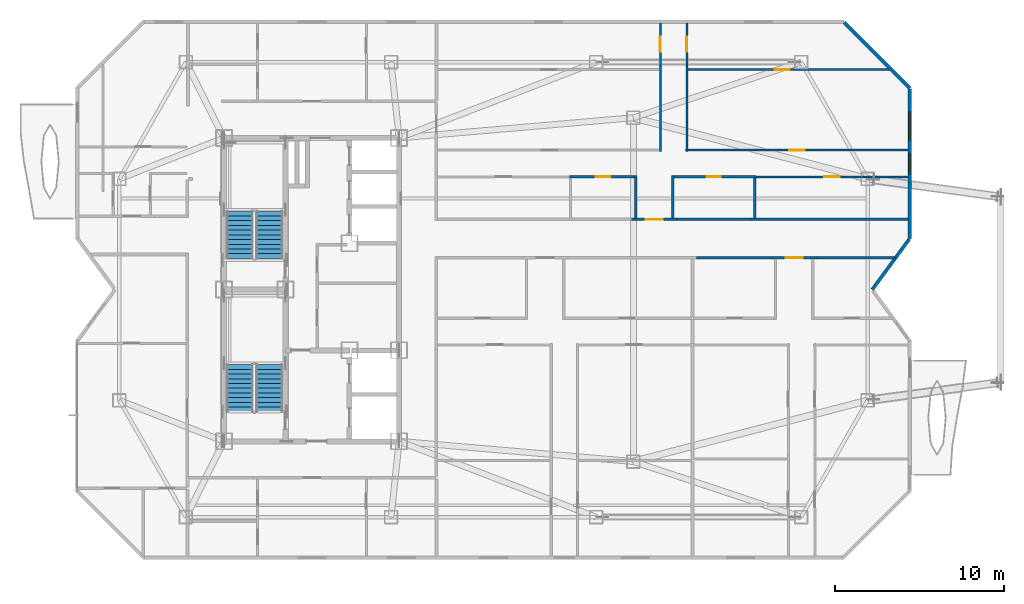
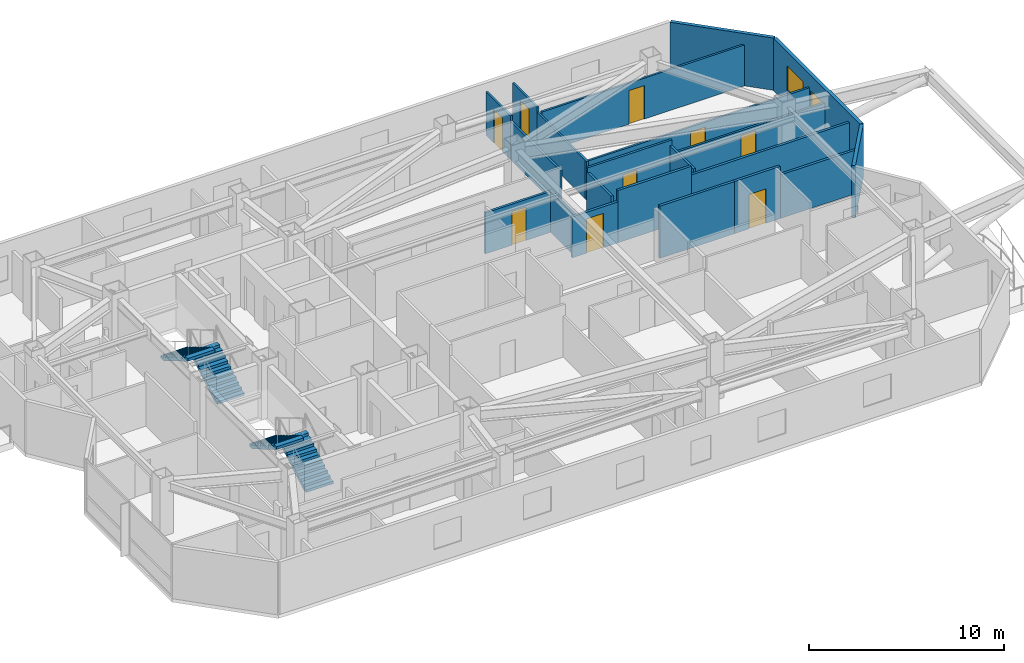
# One storey, part 12 of 14: 21 walls, 9 doors, 4 stair flights, 2 windows, 11 openings, 2 elements without a shape of their own.
"""IFC4 building model written with IfcOpenShell, lengths in metres."""

from ifc_helpers import new_model, si_unit, direction, frame, frame_2d, origin, place, context, subcontext, project, spatial, polyline, rectangle, outline, extrude, material, layer, layer_set, type_object, element, fill, aggregate, save


model = new_model("IFC4")

# Units and contexts
model_context = context("Model", 3, precision=1e-05, world=origin(), true_north=direction((0.0, 1.0)))
body_context = subcontext(model_context, "Body", "Model", "MODEL_VIEW")
ifc_project = project(units=[si_unit("LENGTHUNIT", "METRE"), si_unit("AREAUNIT", "SQUARE_METRE"), si_unit("VOLUMEUNIT", "CUBIC_METRE"), si_unit("PLANEANGLEUNIT", "RADIAN"), si_unit("MASSUNIT", "GRAM", prefix="KILO")], contexts=[model_context])

# Site, building, storey
site_placement = place(None, origin())
site = spatial("IfcSite", under=ifc_project, at=site_placement, CompositionType="ELEMENT")
building_placement = place(site_placement, origin())
building = spatial("IfcBuilding", under=site, at=building_placement, Name="Khamvora Tower", CompositionType="ELEMENT")
storey_placement = place(building_placement, frame((0.0, 0.0, 261.0)))
storey = spatial("IfcBuildingStorey", under=building, at=storey_placement, Name="L67", CompositionType="ELEMENT", Elevation=261.0)

# Wall, opening, door
ifc_material_1 = material(Name="Fire-Rated Drywall and Steel Stud", Category="steel")
ifc_layer_1 = layer(ifc_material_1, 0.14990234375)
ifc_layer_set_1 = layer_set([ifc_layer_1], Name="Fire-Rated Drywall and Steel Stud")
wall_type_1 = type_object("IfcWallType", Name="WAL-CORR-150", PredefinedType="STANDARD", material=ifc_layer_set_1)
wall_1_placement = place(storey_placement, frame((64.18310546875, 29.885009765625, 0.0), z_axis=(0.0, 0.0, 1.0), x_axis=(-1.0, 0.0, 0.0)))
wall_1 = element("IfcWall", 1, at=wall_1_placement, inside=storey, type_object=wall_type_1, Name="L67 interior partition wall 025", PredefinedType="STANDARD", context=body_context, shape_type="SweptSolid", body=[
    extrude(rectangle(XDim=2.697998046875, YDim=0.14990234375, at=frame_2d((1.34912109375, 0.0))), origin(), (0.0, 0.0, 1.0), 3.27001953125),
])
opening_1_placement = place(wall_1_placement, frame((0.84912109375, 0.0, 0.0)))
opening_1 = element("IfcOpeningElement", 2, at=opening_1_placement, cuts=wall_1, Name="Opening D-U1", PredefinedType="OPENING", context=body_context, shape_type="SweptSolid", body=[
    extrude(rectangle(XDim=1.0, YDim=2.14990234375, at=frame_2d((0.5, 1.074951171875))), frame((0.0, 0.0849609375, 0.0), z_axis=(0.0, -1.0, 0.0), x_axis=(1.0, 0.0, 0.0)), (0.0, 0.0, 1.0), 0.169921875),
])
ifc_material_2 = material(Name="Powder-Coated Steel and Hardwood Leaf", Category="steel")
door_type_1 = type_object("IfcDoorType", Name="DOR-UNIT-1000", OperationType="NOTDEFINED", PredefinedType="DOOR", material=ifc_material_2)
door_1_placement = place(opening_1_placement, origin())
door_1 = element("IfcDoor", 3, at=door_1_placement, inside=storey, type_object=door_type_1, Name="L67 interior door COR-67EA2H", OperationType="SINGLE_SWING_RIGHT", OverallHeight=2.14990234375, OverallWidth=1.0, PredefinedType="DOOR", context=body_context, shape_type="SweptSolid", body=[
    extrude(rectangle(XDim=1.0, YDim=2.14990234375, at=frame_2d((0.5, 1.074951171875))), frame((0.0, 0.02490234375, 0.0), z_axis=(0.0, -1.0, 0.0), x_axis=(1.0, 0.0, 0.0)), (0.0, 0.0, 1.0), 0.050048828125),
])
fill(opening_1, door_1)

# Walls
wall_2_placement = place(storey_placement, frame((68.8310546875, 29.885009765625, 0.0), z_axis=(0.0, 0.0, 1.0), x_axis=(-1.0, 0.0, 0.0)))
element("IfcWall", 4, at=wall_2_placement, inside=storey, type_object=wall_type_1, Name="L67 interior partition wall 026", PredefinedType="STANDARD", context=body_context, shape_type="SweptSolid", body=[
    extrude(rectangle(XDim=4.64794921875, YDim=0.14990234375, at=frame_2d((2.323974609375, 0.0))), origin(), (0.0, 0.0, 1.0), 2.72705078125),
])
wall_3_placement = place(storey_placement, frame((61.485107421875, 29.885009765625, 0.0), z_axis=(0.0, 0.0, 1.0), x_axis=(-1.0, 0.0, 0.0)))
element("IfcWall", 5, at=wall_3_placement, inside=storey, type_object=wall_type_1, Name="L67 interior partition wall 027", PredefinedType="STANDARD", context=body_context, shape_type="SweptSolid", body=[
    extrude(rectangle(XDim=4.43017578125, YDim=0.14990234375, at=frame_2d((2.215087890625, 0.0))), origin(), (0.0, 0.0, 1.0), 3.27001953125),
])
wall_4_placement = place(storey_placement, frame((60.2509765625, 32.1650390625, 0.0), z_axis=(0.0, 0.0, 1.0), x_axis=(1.0, 0.0, 0.0)))
element("IfcWall", 6, at=wall_4_placement, inside=storey, type_object=wall_type_1, Name="L67 interior partition wall 030", PredefinedType="STANDARD", context=body_context, shape_type="SweptSolid", body=[
    extrude(rectangle(XDim=9.35693359375, YDim=0.14990234375, at=frame_2d((4.678466796875, 0.0))), origin(), (0.0, 0.0, 1.0), 2.72705078125),
])

# Wall, opening, door
wall_5_placement = place(storey_placement, frame((53.18603515625, 32.1650390625, 0.0), z_axis=(0.0, 0.0, 1.0), x_axis=(1.0, 0.0, 0.0)))
wall_5 = element("IfcWall", 7, at=wall_5_placement, inside=storey, type_object=wall_type_1, Name="L67 interior partition wall 032", PredefinedType="STANDARD", context=body_context, shape_type="SweptSolid", body=[
    extrude(rectangle(XDim=2.697998046875, YDim=0.14990234375, at=frame_2d((1.34912109375, 0.0))), origin(), (0.0, 0.0, 1.0), 2.56494140625),
])
opening_2_placement = place(wall_5_placement, frame((0.84912109375, 0.0, 0.0)))
opening_2 = element("IfcOpeningElement", 8, at=opening_2_placement, cuts=wall_5, Name="Opening D-U1", PredefinedType="OPENING", context=body_context, shape_type="SweptSolid", body=[
    extrude(rectangle(XDim=1.0, YDim=2.14990234375, at=frame_2d((0.5, 1.074951171875))), frame((0.0, 0.0849609375, 0.0), z_axis=(0.0, -1.0, 0.0), x_axis=(1.0, 0.0, 0.0)), (0.0, 0.0, 1.0), 0.169921875),
])
door_2_placement = place(opening_2_placement, origin())
door_2 = element("IfcDoor", 9, at=door_2_placement, inside=storey, type_object=door_type_1, Name="L67 interior door COR-67EBH", OperationType="SINGLE_SWING_LEFT", OverallHeight=2.14990234375, OverallWidth=1.0, PredefinedType="DOOR", context=body_context, shape_type="SweptSolid", body=[
    extrude(rectangle(XDim=1.0, YDim=2.14990234375, at=frame_2d((0.5, 1.074951171875))), frame((0.0, 0.02490234375, 0.0), z_axis=(0.0, -1.0, 0.0), x_axis=(1.0, 0.0, 0.0)), (0.0, 0.0, 1.0), 0.050048828125),
])
fill(opening_2, door_2)

# Walls
wall_6_placement = place(storey_placement, frame((55.884033203125, 32.1650390625, 0.0), z_axis=(0.0, 0.0, 1.0), x_axis=(1.0, 0.0, 0.0)))
element("IfcWall", 10, at=wall_6_placement, inside=storey, type_object=wall_type_1, Name="L67 interior partition wall 034", PredefinedType="STANDARD", context=body_context, shape_type="SweptSolid", body=[
    extrude(rectangle(XDim=4.366943359375, YDim=0.14990234375, at=frame_2d((2.18359375, 0.0))), origin(), (0.0, 0.0, 1.0), 3.27001953125),
])
ifc_material_3 = material(Name="Precast concrete C40/50", Category="concrete")
ifc_layer_2 = layer(ifc_material_3, 0.199951171875)
ifc_layer_set_2 = layer_set([ifc_layer_2], Name="Precast concrete C40/50")
wall_type_2 = type_object("IfcWallType", Name="WAL-EXT-200", PredefinedType="STANDARD", material=ifc_layer_set_2)
wall_7_placement = place(storey_placement, frame((65.802001953125, 43.85693359375, 0.0), z_axis=(0.0, 0.0, 1.0), x_axis=(0.707106781187, -0.707106781187, 0.0)))
element("IfcWall", 11, at=wall_7_placement, inside=storey, type_object=wall_type_2, Name="L67 exterior facade wall 08.1", PredefinedType="STANDARD", context=body_context, shape_type="SweptSolid", body=[
    extrude(rectangle(XDim=5.512451171875, YDim=0.199951171875, at=frame_2d((2.75634765625, 0.0))), origin(), (0.0, 0.0, 1.0), 3.27001953125),
])

# Wall, openings, windows
wall_8_placement = place(storey_placement, frame((69.699951171875, 39.89599609375, 0.0), z_axis=(0.0, 0.0, 1.0), x_axis=(0.0, -1.0, 0.0)))
wall_8 = element("IfcWall", 12, at=wall_8_placement, inside=storey, type_object=wall_type_2, Name="L67 exterior facade wall 09.1", PredefinedType="STANDARD", context=body_context, shape_type="SweptSolid", body=[
    extrude(rectangle(XDim=8.863037109375, YDim=0.199951171875, at=frame_2d((4.431640625, 0.0))), origin(), (0.0, 0.0, 1.0), 3.27001953125),
])
opening_3_placement = place(wall_8_placement, frame((3.81103515625, 0.0, 0.800048828125)))
opening_3 = element("IfcOpeningElement", 13, at=opening_3_placement, cuts=wall_8, Name="Opening WN-03", PredefinedType="OPENING", context=body_context, shape_type="SweptSolid", body=[
    extrude(rectangle(XDim=1.199951171875, YDim=1.5, at=frame_2d((0.60009765625, 0.75))), frame((0.0, 0.10986328125, 0.0), z_axis=(0.0, -1.0, 0.0), x_axis=(1.0, 0.0, 0.0)), (0.0, 0.0, 1.0), 0.219970703125),
])
opening_4_placement = place(wall_8_placement, frame((1.3779296875, 0.0, 0.85009765625)))
opening_4 = element("IfcOpeningElement", 14, at=opening_4_placement, cuts=wall_8, Name="Opening WN-06", PredefinedType="OPENING", context=body_context, shape_type="SweptSolid", body=[
    extrude(rectangle(XDim=1.64990234375, YDim=1.550048828125, at=frame_2d((0.824951171875, 0.77490234375))), frame((0.0, 0.10986328125, 0.0), z_axis=(0.0, -1.0, 0.0), x_axis=(1.0, 0.0, 0.0)), (0.0, 0.0, 1.0), 0.219970703125),
])
ifc_material_4 = material(Name="Low-E Laminated Double Glazing", Category="glass")
window_type_1 = type_object("IfcWindowType", Name="WIN-VIS-1200x1500", PartitioningType="SINGLE_PANEL", PredefinedType="WINDOW", material=ifc_material_4)
window_1_placement = place(opening_3_placement, origin())
window_1 = element("IfcWindow", 15, at=window_1_placement, inside=storey, type_object=window_type_1, Name="L67 vision window 09.1.01", OverallHeight=1.5, OverallWidth=1.199951171875, PartitioningType="SINGLE_PANEL", PredefinedType="WINDOW", context=body_context, shape_type="SweptSolid", body=[
    extrude(rectangle(XDim=1.199951171875, YDim=1.5, at=frame_2d((0.60009765625, 0.75))), frame((0.0, 0.030029296875, 0.0), z_axis=(0.0, -1.0, 0.0), x_axis=(1.0, 0.0, 0.0)), (0.0, 0.0, 1.0), 0.06005859375),
])
fill(opening_3, window_1)
window_type_2 = type_object("IfcWindowType", Name="WIN-VIS-1650x1550", PartitioningType="SINGLE_PANEL", PredefinedType="WINDOW", material=ifc_material_4)
window_2_placement = place(opening_4_placement, origin())
window_2 = element("IfcWindow", 16, at=window_2_placement, inside=storey, type_object=window_type_2, Name="L67 vision window 09.1.02", OverallHeight=1.550048828125, OverallWidth=1.64990234375, PartitioningType="SINGLE_PANEL", PredefinedType="WINDOW", context=body_context, shape_type="SweptSolid", body=[
    extrude(rectangle(XDim=1.64990234375, YDim=1.550048828125, at=frame_2d((0.824951171875, 0.77490234375))), frame((0.0, 0.030029296875, 0.0), z_axis=(0.0, -1.0, 0.0), x_axis=(1.0, 0.0, 0.0)), (0.0, 0.0, 1.0), 0.06005859375),
])
fill(opening_4, window_2)

# Wall
wall_9_placement = place(storey_placement, frame((69.669921875, 30.991943359375, 0.0), z_axis=(0.0, 0.0, 1.0), x_axis=(-0.591320870733, -0.806436375566, 0.0)))
element("IfcWall", 17, at=wall_9_placement, inside=storey, type_object=wall_type_2, Name="L67 exterior facade wall 10.1", PredefinedType="STANDARD", context=body_context, shape_type="SweptSolid", body=[
    extrude(rectangle(XDim=3.7099609375, YDim=0.199951171875, at=frame_2d((1.85498046875, 0.0))), origin(), (0.0, 0.0, 1.0), 3.27001953125),
])

# Wall, opening, door
ifc_material_5 = material(Name="Gypsum Plasterboard Partition", Category="gypsum")
ifc_layer_3 = layer(ifc_material_5, 0.1201171875)
ifc_layer_set_3 = layer_set([ifc_layer_3], Name="Gypsum Plasterboard Partition")
wall_type_3 = type_object("IfcWallType", Name="WAL-PART-120", PredefinedType="PARTITIONING", material=ifc_layer_set_3)
wall_10_placement = place(storey_placement, frame((60.56494140625, 34.695068359375, 0.0), z_axis=(0.0, 0.0, 1.0), x_axis=(1.0, 0.0, 0.0)))
wall_10 = element("IfcWall", 18, at=wall_10_placement, inside=storey, type_object=wall_type_3, Name="L67 interior partition wall 093", PredefinedType="PARTITIONING", context=body_context, shape_type="SweptSolid", body=[
    extrude(rectangle(XDim=9.04296875, YDim=0.1201171875, at=frame_2d((4.521484375, 0.0))), origin(), (0.0, 0.0, 1.0), 2.405029296875),
])
opening_5_placement = place(wall_10_placement, frame((4.071044921875, 0.0, 0.0)))
opening_5 = element("IfcOpeningElement", 19, at=opening_5_placement, cuts=wall_10, Name="Opening D-RM1", PredefinedType="OPENING", context=body_context, shape_type="SweptSolid", body=[
    extrude(rectangle(XDim=0.89990234375, YDim=2.10009765625, at=frame_2d((0.449951171875, 1.050048828125))), frame((0.0, 0.070068359375, 0.0), z_axis=(0.0, -1.0, 0.0), x_axis=(1.0, 0.0, 0.0)), (0.0, 0.0, 1.0), 0.14013671875),
])
door_type_2 = type_object("IfcDoorType", Name="DOR-ROOM-900", OperationType="NOTDEFINED", PredefinedType="DOOR", material=ifc_material_2)
door_3_placement = place(opening_5_placement, origin())
door_3 = element("IfcDoor", 20, at=door_3_placement, inside=storey, type_object=door_type_2, Name="L67 interior door 67EBW2-67EBH", OperationType="SINGLE_SWING_LEFT", OverallHeight=2.10009765625, OverallWidth=0.89990234375, PredefinedType="DOOR", context=body_context, shape_type="SweptSolid", body=[
    extrude(rectangle(XDim=0.89990234375, YDim=2.10009765625, at=frame_2d((0.449951171875, 1.050048828125))), frame((0.0, 0.02490234375, 0.0), z_axis=(0.0, -1.0, 0.0), x_axis=(1.0, 0.0, 0.0)), (0.0, 0.0, 1.0), 0.050048828125),
])
fill(opening_5, door_3)

# Wall
wall_11_placement = place(storey_placement, frame((54.89990234375, 36.2099609375, 0.0), z_axis=(0.0, 0.0, 1.0), x_axis=(0.0, 1.0, 0.0)))
element("IfcWall", 21, at=wall_11_placement, inside=storey, type_object=wall_type_3, Name="L67 interior partition wall 100", PredefinedType="PARTITIONING", context=body_context, shape_type="SweptSolid", body=[
    extrude(rectangle(XDim=5.091064453125, YDim=0.1201171875, at=frame_2d((2.54541015625, 0.0))), origin(), (0.0, 0.0, 1.0), 2.405029296875),
])

# Wall, opening, door
wall_12_placement = place(storey_placement, frame((54.89990234375, 41.301025390625, 0.0), z_axis=(0.0, 0.0, 1.0), x_axis=(0.0, 1.0, 0.0)))
wall_12 = element("IfcWall", 22, at=wall_12_placement, inside=storey, type_object=wall_type_3, Name="L67 interior partition wall 101", PredefinedType="PARTITIONING", context=body_context, shape_type="SweptSolid", body=[
    extrude(rectangle(XDim=2.507080078125, YDim=0.1201171875, at=frame_2d((1.25341796875, 0.0))), origin(), (0.0, 0.0, 1.0), 2.72705078125),
])
opening_6_placement = place(wall_12_placement, frame((0.803955078125, 0.0, 0.0)))
opening_6 = element("IfcOpeningElement", 23, at=opening_6_placement, cuts=wall_12, Name="Opening D-RM1", PredefinedType="OPENING", context=body_context, shape_type="SweptSolid", body=[
    extrude(rectangle(XDim=0.89990234375, YDim=2.10009765625, at=frame_2d((0.449951171875, 1.050048828125))), frame((0.0, 0.070068359375, 0.0), z_axis=(0.0, -1.0, 0.0), x_axis=(1.0, 0.0, 0.0)), (0.0, 0.0, 1.0), 0.14013671875),
])
door_4_placement = place(opening_6_placement, origin())
door_4 = element("IfcDoor", 24, at=door_4_placement, inside=storey, type_object=door_type_2, Name="L67 interior door 67EBH-67EBR2", OperationType="SINGLE_SWING_LEFT", OverallHeight=2.10009765625, OverallWidth=0.89990234375, PredefinedType="DOOR", context=body_context, shape_type="SweptSolid", body=[
    extrude(rectangle(XDim=0.89990234375, YDim=2.10009765625, at=frame_2d((0.449951171875, 1.050048828125))), frame((0.0, 0.02490234375, 0.0), z_axis=(0.0, -1.0, 0.0), x_axis=(1.0, 0.0, 0.0)), (0.0, 0.0, 1.0), 0.050048828125),
])
fill(opening_6, door_4)

# Wall
wall_13_placement = place(storey_placement, frame((56.469970703125, 41.301025390625, 0.0), z_axis=(0.0, 0.0, 1.0), x_axis=(0.0, -1.0, 0.0)))
element("IfcWall", 25, at=wall_13_placement, inside=storey, type_object=wall_type_3, Name="L67 interior partition wall 102", PredefinedType="PARTITIONING", context=body_context, shape_type="SweptSolid", body=[
    extrude(rectangle(XDim=5.091064453125, YDim=0.1201171875, at=frame_2d((2.54541015625, 0.0))), origin(), (0.0, 0.0, 1.0), 2.405029296875),
])

# Wall, opening, door
wall_14_placement = place(storey_placement, frame((56.405029296875, 36.27490234375, 0.0), z_axis=(0.0, 0.0, 1.0), x_axis=(1.0, 0.0, 0.0)))
wall_14 = element("IfcWall", 26, at=wall_14_placement, inside=storey, type_object=wall_type_3, Name="L67 interior partition wall 103", PredefinedType="PARTITIONING", context=body_context, shape_type="SweptSolid", body=[
    extrude(rectangle(XDim=13.202880859375, YDim=0.1201171875, at=frame_2d((6.6015625, 0.0))), origin(), (0.0, 0.0, 1.0), 2.405029296875),
])
opening_7_placement = place(wall_14_placement, frame((6.15087890625, 0.0, 0.0)))
opening_7 = element("IfcOpeningElement", 27, at=opening_7_placement, cuts=wall_14, Name="Opening D-RM1", PredefinedType="OPENING", context=body_context, shape_type="SweptSolid", body=[
    extrude(rectangle(XDim=0.89990234375, YDim=2.10009765625, at=frame_2d((0.449951171875, 1.050048828125))), frame((0.0, 0.070068359375, 0.0), z_axis=(0.0, -1.0, 0.0), x_axis=(1.0, 0.0, 0.0)), (0.0, 0.0, 1.0), 0.14013671875),
])
door_5_placement = place(opening_7_placement, origin())
door_5 = element("IfcDoor", 28, at=door_5_placement, inside=storey, type_object=door_type_2, Name="L67 interior door 67EBH-67EBR3", OperationType="SINGLE_SWING_RIGHT", OverallHeight=2.10009765625, OverallWidth=0.89990234375, PredefinedType="DOOR", context=body_context, shape_type="SweptSolid", body=[
    extrude(rectangle(XDim=0.89990234375, YDim=2.10009765625, at=frame_2d((0.449951171875, 1.050048828125))), frame((0.0, 0.02490234375, 0.0), z_axis=(0.0, -1.0, 0.0), x_axis=(1.0, 0.0, 0.0)), (0.0, 0.0, 1.0), 0.050048828125),
])
fill(opening_7, door_5)

wall_15_placement = place(storey_placement, frame((56.469970703125, 43.80810546875, 0.0), z_axis=(0.0, 0.0, 1.0), x_axis=(0.0, -1.0, 0.0)))
wall_15 = element("IfcWall", 29, at=wall_15_placement, inside=storey, type_object=wall_type_3, Name="L67 interior partition wall 104", PredefinedType="PARTITIONING", context=body_context, shape_type="SweptSolid", body=[
    extrude(rectangle(XDim=2.507080078125, YDim=0.1201171875, at=frame_2d((1.25341796875, 0.0))), origin(), (0.0, 0.0, 1.0), 2.72705078125),
])
opening_8_placement = place(wall_15_placement, frame((0.803955078125, 0.0, 0.0)))
opening_8 = element("IfcOpeningElement", 30, at=opening_8_placement, cuts=wall_15, Name="Opening D-RM1", PredefinedType="OPENING", context=body_context, shape_type="SweptSolid", body=[
    extrude(rectangle(XDim=0.89990234375, YDim=2.10009765625, at=frame_2d((0.449951171875, 1.050048828125))), frame((0.0, 0.070068359375, 0.0), z_axis=(0.0, -1.0, 0.0), x_axis=(1.0, 0.0, 0.0)), (0.0, 0.0, 1.0), 0.14013671875),
])
door_6_placement = place(opening_8_placement, origin())
door_6 = element("IfcDoor", 31, at=door_6_placement, inside=storey, type_object=door_type_2, Name="L67 interior door 67EBH-67EBR4", OperationType="SINGLE_SWING_LEFT", OverallHeight=2.10009765625, OverallWidth=0.89990234375, PredefinedType="DOOR", context=body_context, shape_type="SweptSolid", body=[
    extrude(rectangle(XDim=0.89990234375, YDim=2.10009765625, at=frame_2d((0.449951171875, 1.050048828125))), frame((0.0, 0.02490234375, 0.0), z_axis=(0.0, -1.0, 0.0), x_axis=(1.0, 0.0, 0.0)), (0.0, 0.0, 1.0), 0.050048828125),
])
fill(opening_8, door_6)

wall_16_placement = place(storey_placement, frame((56.52392578125, 41.052001953125, 0.0), z_axis=(0.0, 0.0, 1.0), x_axis=(1.0, 0.0, 0.0)))
wall_16 = element("IfcWall", 32, at=wall_16_placement, inside=storey, type_object=wall_type_3, Name="L67 interior partition wall 106", PredefinedType="PARTITIONING", context=body_context, shape_type="SweptSolid", body=[
    extrude(rectangle(XDim=12.078125, YDim=0.1201171875, at=frame_2d((6.0390625, 0.0))), origin(), (0.0, 0.0, 1.0), 2.56494140625),
])
opening_9_placement = place(wall_16_placement, frame((5.1650390625, 0.0, 0.0)))
opening_9 = element("IfcOpeningElement", 33, at=opening_9_placement, cuts=wall_16, Name="Opening D-RM1", PredefinedType="OPENING", context=body_context, shape_type="SweptSolid", body=[
    extrude(rectangle(XDim=0.89990234375, YDim=2.10009765625, at=frame_2d((0.449951171875, 1.050048828125))), frame((0.0, 0.070068359375, 0.0), z_axis=(0.0, -1.0, 0.0), x_axis=(1.0, 0.0, 0.0)), (0.0, 0.0, 1.0), 0.14013671875),
])
door_7_placement = place(opening_9_placement, origin())
door_7 = element("IfcDoor", 34, at=door_7_placement, inside=storey, type_object=door_type_2, Name="L67 interior door 67EBR3-67EBR4", OperationType="SINGLE_SWING_LEFT", OverallHeight=2.10009765625, OverallWidth=0.89990234375, PredefinedType="DOOR", context=body_context, shape_type="SweptSolid", body=[
    extrude(rectangle(XDim=0.89990234375, YDim=2.10009765625, at=frame_2d((0.449951171875, 1.050048828125))), frame((0.0, 0.02490234375, 0.0), z_axis=(0.0, -1.0, 0.0), x_axis=(1.0, 0.0, 0.0)), (0.0, 0.0, 1.0), 0.050048828125),
])
fill(opening_9, door_7)

# Walls
ifc_material_6 = material(Name="Moisture-Resistant Plasterboard Partition", Category="gypsum")
ifc_layer_4 = layer(ifc_material_6, 0.135009765625)
ifc_layer_set_4 = layer_set([ifc_layer_4], Name="Moisture-Resistant Plasterboard Partition")
wall_type_4 = type_object("IfcWallType", Name="WAL-WET-135", PredefinedType="PARTITIONING", material=ifc_layer_set_4)
wall_17_placement = place(storey_placement, frame((60.5, 32.23193359375, 0.0), z_axis=(0.0, 0.0, 1.0), x_axis=(0.0, 1.0, 0.0)))
element("IfcWall", 35, at=wall_17_placement, inside=storey, type_object=wall_type_4, Name="L67 interior partition wall 094", PredefinedType="PARTITIONING", context=body_context, shape_type="SweptSolid", body=[
    extrude(rectangle(XDim=2.39794921875, YDim=0.135009765625, at=frame_2d((1.198974609375, 0.0))), origin(), (0.0, 0.0, 1.0), 2.947021484375),
])
wall_18_placement = place(storey_placement, frame((53.43505859375, 32.23193359375, 0.0), z_axis=(0.0, 0.0, 1.0), x_axis=(0.0, 1.0, 0.0)))
element("IfcWall", 36, at=wall_18_placement, inside=storey, type_object=wall_type_4, Name="L67 interior partition wall 095", PredefinedType="PARTITIONING", context=body_context, shape_type="SweptSolid", body=[
    extrude(rectangle(XDim=2.528076171875, YDim=0.135009765625, at=frame_2d((1.26416015625, 0.0))), origin(), (0.0, 0.0, 1.0), 2.56494140625),
])

# Wall, opening, door
wall_19_placement = place(storey_placement, frame((53.5, 34.695068359375, 0.0), z_axis=(0.0, 0.0, 1.0), x_axis=(-1.0, 0.0, 0.0)))
wall_19 = element("IfcWall", 37, at=wall_19_placement, inside=storey, type_object=wall_type_4, Name="L67 interior partition wall 096", PredefinedType="PARTITIONING", context=body_context, shape_type="SweptSolid", body=[
    extrude(rectangle(XDim=3.9951171875, YDim=0.135009765625, at=frame_2d((1.99755859375, 0.0))), origin(), (0.0, 0.0, 1.0), 2.56494140625),
])
opening_10_placement = place(wall_19_placement, frame((1.572998046875, 0.0, 0.0)))
opening_10 = element("IfcOpeningElement", 38, at=opening_10_placement, cuts=wall_19, Name="Opening D-WC1", PredefinedType="OPENING", context=body_context, shape_type="SweptSolid", body=[
    extrude(rectangle(XDim=0.85009765625, YDim=2.10009765625, at=frame_2d((0.425048828125, 1.050048828125))), frame((0.0, 0.077392578125, 0.0), z_axis=(0.0, -1.0, 0.0), x_axis=(1.0, 0.0, 0.0)), (0.0, 0.0, 1.0), 0.155029296875),
])
door_type_3 = type_object("IfcDoorType", Name="DOR-WET-850", OperationType="NOTDEFINED", PredefinedType="DOOR", material=ifc_material_2)
door_8_placement = place(opening_10_placement, origin())
door_8 = element("IfcDoor", 39, at=door_8_placement, inside=storey, type_object=door_type_3, Name="L67 interior door 67EBH-67EBB", OperationType="SINGLE_SWING_RIGHT", OverallHeight=2.10009765625, OverallWidth=0.85009765625, PredefinedType="DOOR", context=body_context, shape_type="SweptSolid", body=[
    extrude(rectangle(XDim=0.85009765625, YDim=2.10009765625, at=frame_2d((0.425048828125, 1.050048828125))), frame((0.0, 0.02490234375, 0.0), z_axis=(0.0, -1.0, 0.0), x_axis=(1.0, 0.0, 0.0)), (0.0, 0.0, 1.0), 0.050048828125),
])
fill(opening_10, door_8)

wall_20_placement = place(storey_placement, frame((60.56494140625, 34.695068359375, 0.0), z_axis=(0.0, 0.0, 1.0), x_axis=(-1.0, 0.0, 0.0)))
wall_20 = element("IfcWall", 40, at=wall_20_placement, inside=storey, type_object=wall_type_4, Name="L67 interior partition wall 097", PredefinedType="PARTITIONING", context=body_context, shape_type="SweptSolid", body=[
    extrude(rectangle(XDim=4.994873046875, YDim=0.135009765625, at=frame_2d((2.49755859375, 0.0))), origin(), (0.0, 0.0, 1.0), 3.27001953125),
])
opening_11_placement = place(wall_20_placement, frame((2.072998046875, 0.0, 0.0)))
opening_11 = element("IfcOpeningElement", 41, at=opening_11_placement, cuts=wall_20, Name="Opening D-RM2", PredefinedType="OPENING", context=body_context, shape_type="SweptSolid", body=[
    extrude(rectangle(XDim=0.85009765625, YDim=2.10009765625, at=frame_2d((0.425048828125, 1.050048828125))), frame((0.0, 0.077392578125, 0.0), z_axis=(0.0, -1.0, 0.0), x_axis=(1.0, 0.0, 0.0)), (0.0, 0.0, 1.0), 0.155029296875),
])
door_type_4 = type_object("IfcDoorType", Name="DOR-ROOM-850", OperationType="NOTDEFINED", PredefinedType="DOOR", material=ifc_material_2)
door_9_placement = place(opening_11_placement, origin())
door_9 = element("IfcDoor", 42, at=door_9_placement, inside=storey, type_object=door_type_4, Name="L67 interior door 67EBH-67EBK", OperationType="SINGLE_SWING_LEFT", OverallHeight=2.10009765625, OverallWidth=0.85009765625, PredefinedType="DOOR", context=body_context, shape_type="SweptSolid", body=[
    extrude(rectangle(XDim=0.85009765625, YDim=2.10009765625, at=frame_2d((0.425048828125, 1.050048828125))), frame((0.0, 0.02490234375, 0.0), z_axis=(0.0, -1.0, 0.0), x_axis=(1.0, 0.0, 0.0)), (0.0, 0.0, 1.0), 0.050048828125),
])
fill(opening_11, door_9)

# Wall
wall_21_placement = place(storey_placement, frame((55.635009765625, 34.760009765625, 0.0), z_axis=(0.0, 0.0, 1.0), x_axis=(0.0, -1.0, 0.0)))
element("IfcWall", 43, at=wall_21_placement, inside=storey, type_object=wall_type_4, Name="L67 interior partition wall 098", PredefinedType="PARTITIONING", context=body_context, shape_type="SweptSolid", body=[
    extrude(rectangle(XDim=2.528076171875, YDim=0.135009765625, at=frame_2d((1.26416015625, 0.0))), origin(), (0.0, 0.0, 1.0), 2.947021484375),
])

# Stair, stair flights
ifc_material_7 = material(Name="Concrete C40/50", Category="concrete")
stair_type_1 = type_object("IfcStairType", Name="STR-ST-01", PredefinedType="HALF_TURN_STAIR", material=ifc_material_7)
stair_1_placement = place(storey_placement, origin())
stair_1 = element("IfcStair", 44, at=stair_1_placement, inside=storey, type_object=stair_type_1, Name="L67 South Tower Exit Stair ST-01", PredefinedType="HALF_TURN_STAIR")
stair_flight_type_1 = type_object("IfcStairFlightType", Name="STF-ST-01", PredefinedType="STRAIGHT", material=ifc_material_7)
stair_flight_1_placement = place(storey_placement, frame((31.699951171875, 20.75, 0.0), z_axis=(0.0, 0.0, 1.0), x_axis=(0.0, 1.0, 0.0)))
stair_flight_1 = element("IfcStairFlight", 45, at=stair_flight_1_placement, type_object=stair_flight_type_1, Name="ST-01 flight 1", NumberOfRisers=11, NumberOfTreads=10, PredefinedType="STRAIGHT", RiserHeight=0.165909091, TreadLength=0.28, context=body_context, shape_type="SweptSolid", body=[
    extrude(outline(polyline([(0.0, 0.0), (0.0, 0.166015625), (0.280029296875, 0.166015625), (0.280029296875, 0.331787109375), (0.56005859375, 0.331787109375), (0.56005859375, 0.497802734375), (0.840087890625, 0.497802734375), (0.840087890625, 0.66357421875), (1.1201171875, 0.66357421875), (1.1201171875, 0.82958984375), (1.39990234375, 0.82958984375), (1.39990234375, 0.995361328125), (1.679931640625, 0.995361328125), (1.679931640625, 1.161376953125), (1.9599609375, 1.161376953125), (1.9599609375, 1.327392578125), (2.239990234375, 1.327392578125), (2.239990234375, 1.4931640625), (2.52001953125, 1.4931640625), (2.52001953125, 1.6591796875), (2.800048828125, 1.6591796875), (2.800048828125, 1.824951171875), (2.800048828125, 1.48486328125), (0.2939453125, 0.0), (0.0, 0.0)])), frame((0.0, 0.800048828125, 0.0), z_axis=(0.0, -1.0, 0.0), x_axis=(1.0, 0.0, 0.0)), (0.0, 0.0, 1.0), 1.60009765625),
])
stair_flight_2_placement = place(storey_placement, frame((29.949951171875, 23.550048828125, 1.824951171875), z_axis=(0.0, 0.0, 1.0), x_axis=(0.0, -1.0, 0.0)))
stair_flight_2 = element("IfcStairFlight", 46, at=stair_flight_2_placement, type_object=stair_flight_type_1, Name="ST-01 flight 2", NumberOfRisers=11, NumberOfTreads=10, PredefinedType="STRAIGHT", RiserHeight=0.165909091, TreadLength=0.28, context=body_context, shape_type="SweptSolid", body=[
    extrude(outline(polyline([(0.0, 0.0), (0.0, 0.166015625), (0.280029296875, 0.166015625), (0.280029296875, 0.331787109375), (0.56005859375, 0.331787109375), (0.56005859375, 0.497802734375), (0.840087890625, 0.497802734375), (0.840087890625, 0.66357421875), (1.1201171875, 0.66357421875), (1.1201171875, 0.82958984375), (1.39990234375, 0.82958984375), (1.39990234375, 0.995361328125), (1.679931640625, 0.995361328125), (1.679931640625, 1.161376953125), (1.9599609375, 1.161376953125), (1.9599609375, 1.327392578125), (2.239990234375, 1.327392578125), (2.239990234375, 1.4931640625), (2.52001953125, 1.4931640625), (2.52001953125, 1.6591796875), (2.800048828125, 1.6591796875), (2.800048828125, 1.824951171875), (2.800048828125, 1.48486328125), (0.2939453125, 0.0), (0.0, 0.0)])), frame((0.0, 0.800048828125, 0.0), z_axis=(0.0, -1.0, 0.0), x_axis=(1.0, 0.0, 0.0)), (0.0, 0.0, 1.0), 1.60009765625),
])
aggregate(stair_1, [stair_flight_1, stair_flight_2])

stair_type_2 = type_object("IfcStairType", Name="STR-ST-02", PredefinedType="HALF_TURN_STAIR", material=ifc_material_7)
stair_2_placement = place(storey_placement, origin())
stair_2 = element("IfcStair", 47, at=stair_2_placement, inside=storey, type_object=stair_type_2, Name="L67 North Tower Exit Stair ST-02", PredefinedType="HALF_TURN_STAIR")
stair_flight_type_2 = type_object("IfcStairFlightType", Name="STF-ST-02", PredefinedType="STRAIGHT", material=ifc_material_7)
stair_flight_3_placement = place(storey_placement, frame((31.699951171875, 29.85009765625, 0.0), z_axis=(0.0, 0.0, 1.0), x_axis=(0.0, 1.0, 0.0)))
stair_flight_3 = element("IfcStairFlight", 48, at=stair_flight_3_placement, type_object=stair_flight_type_2, Name="ST-02 flight 1", NumberOfRisers=11, NumberOfTreads=10, PredefinedType="STRAIGHT", RiserHeight=0.165909091, TreadLength=0.28, context=body_context, shape_type="SweptSolid", body=[
    extrude(outline(polyline([(0.0, 0.0), (0.0, 0.166015625), (0.280029296875, 0.166015625), (0.280029296875, 0.331787109375), (0.56005859375, 0.331787109375), (0.56005859375, 0.497802734375), (0.840087890625, 0.497802734375), (0.840087890625, 0.66357421875), (1.1201171875, 0.66357421875), (1.1201171875, 0.82958984375), (1.39990234375, 0.82958984375), (1.39990234375, 0.995361328125), (1.679931640625, 0.995361328125), (1.679931640625, 1.161376953125), (1.9599609375, 1.161376953125), (1.9599609375, 1.327392578125), (2.239990234375, 1.327392578125), (2.239990234375, 1.4931640625), (2.52001953125, 1.4931640625), (2.52001953125, 1.6591796875), (2.800048828125, 1.6591796875), (2.800048828125, 1.824951171875), (2.800048828125, 1.48486328125), (0.2939453125, 0.0), (0.0, 0.0)])), frame((0.0, 0.800048828125, 0.0), z_axis=(0.0, -1.0, 0.0), x_axis=(1.0, 0.0, 0.0)), (0.0, 0.0, 1.0), 1.60009765625),
])
stair_flight_4_placement = place(storey_placement, frame((29.949951171875, 32.64990234375, 1.824951171875), z_axis=(0.0, 0.0, 1.0), x_axis=(0.0, -1.0, 0.0)))
stair_flight_4 = element("IfcStairFlight", 49, at=stair_flight_4_placement, type_object=stair_flight_type_2, Name="ST-02 flight 2", NumberOfRisers=11, NumberOfTreads=10, PredefinedType="STRAIGHT", RiserHeight=0.165909091, TreadLength=0.28, context=body_context, shape_type="SweptSolid", body=[
    extrude(outline(polyline([(0.0, 0.0), (0.0, 0.166015625), (0.280029296875, 0.166015625), (0.280029296875, 0.331787109375), (0.56005859375, 0.331787109375), (0.56005859375, 0.497802734375), (0.840087890625, 0.497802734375), (0.840087890625, 0.66357421875), (1.1201171875, 0.66357421875), (1.1201171875, 0.82958984375), (1.39990234375, 0.82958984375), (1.39990234375, 0.995361328125), (1.679931640625, 0.995361328125), (1.679931640625, 1.161376953125), (1.9599609375, 1.161376953125), (1.9599609375, 1.327392578125), (2.239990234375, 1.327392578125), (2.239990234375, 1.4931640625), (2.52001953125, 1.4931640625), (2.52001953125, 1.6591796875), (2.800048828125, 1.6591796875), (2.800048828125, 1.824951171875), (2.800048828125, 1.48486328125), (0.2939453125, 0.0), (0.0, 0.0)])), frame((0.0, 0.800048828125, 0.0), z_axis=(0.0, -1.0, 0.0), x_axis=(1.0, 0.0, 0.0)), (0.0, 0.0, 1.0), 1.60009765625),
])
aggregate(stair_2, [stair_flight_3, stair_flight_4])

save(model, "model.ifc")
